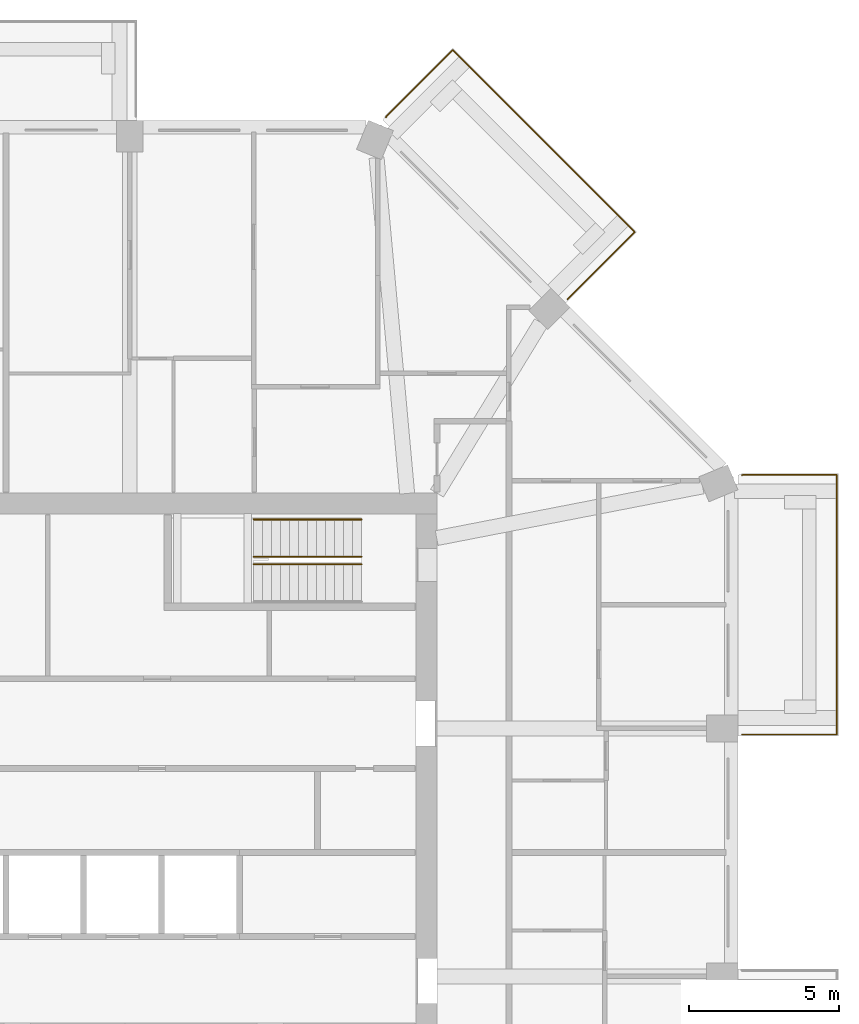
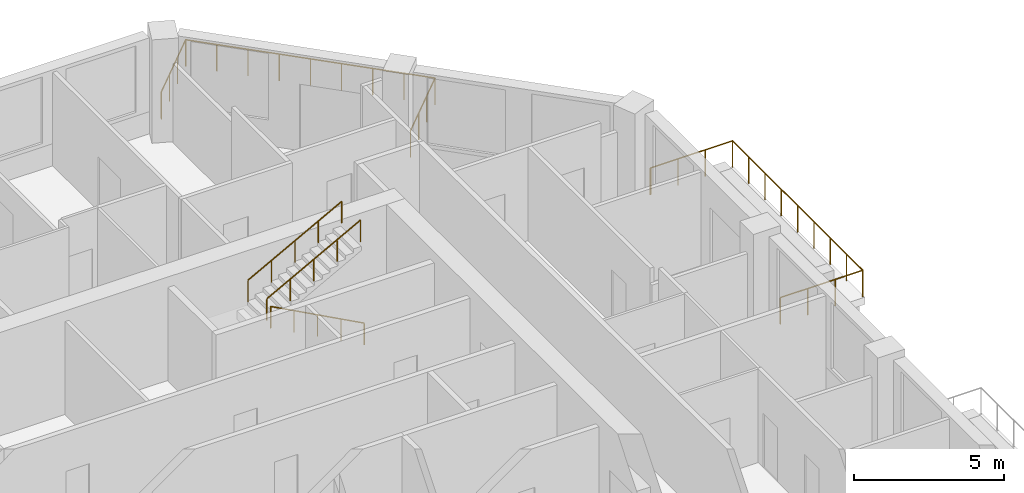
# One storey, part 12 of 12: 5 railings.
"""IFC4 building model written with IfcOpenShell, lengths in metres."""

from ifc_helpers import new_model, si_unit, direction, frame, origin, origin_2d, place, context, subcontext, project, spatial, circle, extrude, material, constituent, constituent_set, type_object, element, save


model = new_model("IFC4")

# Units and contexts
model_context = context("Model", 3, precision=1e-05, world=origin(), true_north=direction((0.0, 1.0)))
body_context = subcontext(model_context, "Body", "Model", "MODEL_VIEW")
ifc_project = project(units=[si_unit("LENGTHUNIT", "METRE"), si_unit("AREAUNIT", "SQUARE_METRE"), si_unit("VOLUMEUNIT", "CUBIC_METRE"), si_unit("PLANEANGLEUNIT", "RADIAN"), si_unit("MASSUNIT", "GRAM", prefix="KILO")], contexts=[model_context])

# Site, building, storey
site_placement = place(None, origin())
site = spatial("IfcSite", under=ifc_project, at=site_placement, CompositionType="ELEMENT")
building_placement = place(site_placement, origin())
building = spatial("IfcBuilding", under=site, at=building_placement, Name="Msitu Wima Residences", CompositionType="ELEMENT")
storey_placement = place(building_placement, frame((0.0, 0.0, 204.300048828125)))
storey = spatial("IfcBuildingStorey", under=building, at=storey_placement, Name="L47", CompositionType="ELEMENT", Elevation=204.300048828125)

# Railings
ifc_material_1 = material(Name="Steel S355", Category="steel")
ifc_constituent_1 = constituent(ifc_material_1, Name="Steel S355")
ifc_material_2 = material(Name="Weathering patina")
ifc_constituent_2 = constituent(ifc_material_2, Name="Weathering patina")
ifc_constituent_set_1 = constituent_set(constituents=[ifc_constituent_1, ifc_constituent_2], Name="Steel S355")
railing_type_1 = type_object("IfcRailingType", Name="Balcony guard GR1100", PredefinedType="GUARDRAIL", material=ifc_constituent_set_1)
railing_1_placement = place(storey_placement, frame((24.580078125, 12.597900390625, 0.0)))
element("IfcRailing", 1, at=railing_1_placement, inside=storey, type_object=railing_type_1, Name="Balcony guard E2 L47", PredefinedType="GUARDRAIL", context=body_context, shape_type="SweptSolid", body=[
    extrude(circle(Radius=0.02392578125, at=origin_2d()), frame((0.0, 0.0, 1.076171875), z_axis=(0.923276184907, 0.384136806859, 0.0), x_axis=(-0.384136806859, 0.923276184907, 0.0)), (0.0, 0.0, 1.0), 0.0361328125),
    extrude(circle(Radius=0.02392578125, at=origin_2d()), frame((0.033447265625, 0.013916015625, 1.076171875), z_axis=(1.0, 0.0, 0.0), x_axis=(0.0, 1.0, 0.0)), (0.0, 0.0, 1.0), 3.136474609375),
    extrude(circle(Radius=0.02392578125, at=origin_2d()), frame((3.169921875, 0.013916015625, 1.076171875), z_axis=(0.0, -1.0, 0.0), x_axis=(1.0, 0.0, 0.0)), (0.0, 0.0, 1.0), 8.674560546875),
    extrude(circle(Radius=0.02392578125, at=origin_2d()), frame((3.169921875, -8.66064453125, 1.076171875), z_axis=(-1.0, 0.0, 0.0), x_axis=(0.0, -1.0, 0.0)), (0.0, 0.0, 1.0), 3.169921875),
    extrude(circle(Radius=0.02099609375, at=origin_2d()), origin(), (0.0, 0.0, 1.0), 1.052001953125),
    extrude(circle(Radius=0.02099609375, at=origin_2d()), frame((0.033447265625, 0.013916015625, 0.0)), (0.0, 0.0, 1.0), 1.052001953125),
    extrude(circle(Radius=0.02099609375, at=origin_2d()), frame((1.078857421875, 0.013916015625, 0.0)), (0.0, 0.0, 1.0), 1.052001953125),
    extrude(circle(Radius=0.02099609375, at=origin_2d()), frame((2.12451171875, 0.013916015625, 0.0)), (0.0, 0.0, 1.0), 1.052001953125),
    extrude(circle(Radius=0.02099609375, at=origin_2d()), frame((3.169921875, 0.013916015625, 0.0)), (0.0, 0.0, 1.0), 1.052001953125),
    extrude(circle(Radius=0.02099609375, at=origin_2d()), frame((3.169921875, -1.0703125, 0.0)), (0.0, 0.0, 1.0), 1.052001953125),
    extrude(circle(Radius=0.02099609375, at=origin_2d()), frame((3.169921875, -2.15478515625, 0.0)), (0.0, 0.0, 1.0), 1.052001953125),
    extrude(circle(Radius=0.02099609375, at=origin_2d()), frame((3.169921875, -3.239013671875, 0.0)), (0.0, 0.0, 1.0), 1.052001953125),
    extrude(circle(Radius=0.02099609375, at=origin_2d()), frame((3.169921875, -4.3232421875, 0.0)), (0.0, 0.0, 1.0), 1.052001953125),
    extrude(circle(Radius=0.02099609375, at=origin_2d()), frame((3.169921875, -5.40771484375, 0.0)), (0.0, 0.0, 1.0), 1.052001953125),
    extrude(circle(Radius=0.02099609375, at=origin_2d()), frame((3.169921875, -6.491943359375, 0.0)), (0.0, 0.0, 1.0), 1.052001953125),
    extrude(circle(Radius=0.02099609375, at=origin_2d()), frame((3.169921875, -7.576416015625, 0.0)), (0.0, 0.0, 1.0), 1.052001953125),
    extrude(circle(Radius=0.02099609375, at=origin_2d()), frame((3.169921875, -8.66064453125, 0.0)), (0.0, 0.0, 1.0), 1.052001953125),
    extrude(circle(Radius=0.02099609375, at=origin_2d()), frame((2.11328125, -8.66064453125, 0.0)), (0.0, 0.0, 1.0), 1.052001953125),
    extrude(circle(Radius=0.02099609375, at=origin_2d()), frame((1.056640625, -8.66064453125, 0.0)), (0.0, 0.0, 1.0), 1.052001953125),
    extrude(circle(Radius=0.02099609375, at=origin_2d()), frame((0.0, -8.66064453125, 0.0)), (0.0, 0.0, 1.0), 1.052001953125),
])
railing_2_placement = place(storey_placement, frame((12.690185546875, 24.541748046875, 0.0)))
element("IfcRailing", 2, at=railing_2_placement, inside=storey, type_object=railing_type_1, Name="Balcony guard NE1 L47", PredefinedType="GUARDRAIL", context=body_context, shape_type="SweptSolid", body=[
    extrude(circle(Radius=0.02392578125, at=origin_2d()), frame((0.0, 0.0, 1.076171875), z_axis=(0.384136806859, 0.923276184907, 0.0), x_axis=(-0.923276184907, 0.384136806859, 0.0)), (0.0, 0.0, 1.0), 0.0361328125),
    extrude(circle(Radius=0.02392578125, at=origin_2d()), frame((0.013916015625, 0.033447265625, 1.076171875), z_axis=(0.707145698426, 0.707067861805, 0.0), x_axis=(-0.707067861805, 0.707145698426, 0.0)), (0.0, 0.0, 1.0), 3.136474609375),
    extrude(circle(Radius=0.02392578125, at=origin_2d()), frame((2.23193359375, 2.251220703125, 1.076171875), z_axis=(0.707106781187, -0.707106781187, 0.0), x_axis=(0.707106781187, 0.707106781187, 0.0)), (0.0, 0.0, 1.0), 8.593994140625),
    extrude(circle(Radius=0.02392578125, at=origin_2d()), frame((8.308837890625, -3.82568359375, 1.076171875), z_axis=(-0.707145287287, -0.707068272989, 0.0), x_axis=(0.707068272989, -0.707145287287, 0.0)), (0.0, 0.0, 1.0), 3.170166015625),
    extrude(circle(Radius=0.02099609375, at=origin_2d()), origin(), (0.0, 0.0, 1.0), 1.052001953125),
    extrude(circle(Radius=0.02099609375, at=origin_2d()), frame((0.013916015625, 0.033447265625, 0.0)), (0.0, 0.0, 1.0), 1.052001953125),
    extrude(circle(Radius=0.02099609375, at=origin_2d()), frame((0.753173828125, 0.772705078125, 0.0)), (0.0, 0.0, 1.0), 1.052001953125),
    extrude(circle(Radius=0.02099609375, at=origin_2d()), frame((1.49267578125, 1.511962890625, 0.0)), (0.0, 0.0, 1.0), 1.052001953125),
    extrude(circle(Radius=0.02099609375, at=origin_2d()), frame((2.23193359375, 2.251220703125, 0.0)), (0.0, 0.0, 1.0), 1.052001953125),
    extrude(circle(Radius=0.02099609375, at=origin_2d()), frame((2.991455078125, 1.49169921875, 0.0)), (0.0, 0.0, 1.0), 1.052001953125),
    extrude(circle(Radius=0.02099609375, at=origin_2d()), frame((3.751220703125, 0.73193359375, 0.0)), (0.0, 0.0, 1.0), 1.052001953125),
    extrude(circle(Radius=0.02099609375, at=origin_2d()), frame((4.5107421875, -0.027587890625, 0.0)), (0.0, 0.0, 1.0), 1.052001953125),
    extrude(circle(Radius=0.02099609375, at=origin_2d()), frame((5.2705078125, -0.787109375, 0.0)), (0.0, 0.0, 1.0), 1.052001953125),
    extrude(circle(Radius=0.02099609375, at=origin_2d()), frame((6.030029296875, -1.546875, 0.0)), (0.0, 0.0, 1.0), 1.052001953125),
    extrude(circle(Radius=0.02099609375, at=origin_2d()), frame((6.78955078125, -2.306396484375, 0.0)), (0.0, 0.0, 1.0), 1.052001953125),
    extrude(circle(Radius=0.02099609375, at=origin_2d()), frame((7.54931640625, -3.066162109375, 0.0)), (0.0, 0.0, 1.0), 1.052001953125),
    extrude(circle(Radius=0.02099609375, at=origin_2d()), frame((8.308837890625, -3.82568359375, 0.0)), (0.0, 0.0, 1.0), 1.052001953125),
    extrude(circle(Radius=0.02099609375, at=origin_2d()), frame((7.5615234375, -4.57275390625, 0.0)), (0.0, 0.0, 1.0), 1.052001953125),
    extrude(circle(Radius=0.02099609375, at=origin_2d()), frame((6.814453125, -5.320068359375, 0.0)), (0.0, 0.0, 1.0), 1.052001953125),
    extrude(circle(Radius=0.02099609375, at=origin_2d()), frame((6.067138671875, -6.067138671875, 0.0)), (0.0, 0.0, 1.0), 1.052001953125),
])
ifc_constituent_3 = constituent(ifc_material_1, Name="Steel S355")
ifc_material_3 = material(Name="Black powder coating")
ifc_constituent_4 = constituent(ifc_material_3, Name="Black powder coating")
ifc_constituent_set_2 = constituent_set(constituents=[ifc_constituent_3, ifc_constituent_4], Name="Steel S355")
railing_type_2 = type_object("IfcRailingType", Name="Stair handrail HR1", PredefinedType="HANDRAIL", material=ifc_constituent_set_2)
railing_3_placement = place(storey_placement, frame((11.875, 9.625, 0.161376953125)))
element("IfcRailing", 3, at=railing_3_placement, inside=storey, type_object=railing_type_2, Name="Stair 3 handrail", PredefinedType="HANDRAIL", context=body_context, shape_type="SweptSolid", body=[
    extrude(circle(Radius=0.02392578125, at=origin_2d()), frame((0.0, 0.0, 0.8759765625), z_axis=(-0.880474934443, 0.0, 0.474092701714), x_axis=(0.0, -1.0, 0.0)), (0.0, 0.0, 1.0), 4.0888671875),
    extrude(circle(Radius=0.02099609375, at=origin_2d()), origin(), (0.0, 0.0, 1.0), 0.851806640625),
    extrude(circle(Radius=0.02099609375, at=origin_2d()), frame((-0.89990234375, 0.0, 0.484619140625)), (0.0, 0.0, 1.0), 0.851806640625),
    extrude(circle(Radius=0.02099609375, at=origin_2d()), frame((-1.800048828125, 0.0, 0.96923828125)), (0.0, 0.0, 1.0), 0.851806640625),
    extrude(circle(Radius=0.02099609375, at=origin_2d()), frame((-2.7001953125, 0.0, 1.453857421875)), (0.0, 0.0, 1.0), 0.851806640625),
    extrude(circle(Radius=0.02099609375, at=origin_2d()), frame((-3.60009765625, 0.0, 1.9384765625)), (0.0, 0.0, 1.0), 0.851806640625),
])
for number, where, name in (
    (4, (8.27490234375, 9.875, 2.261474609375), "Stair 3 handrail"),
    (5, (8.27490234375, 11.125, 2.261474609375), "Stair 3 handrail"),
):
    element("IfcRailing", number, at=place(storey_placement, frame(where)), inside=storey, type_object=railing_type_2, Name=name, PredefinedType="HANDRAIL", context=body_context, shape_type="SweptSolid", body=[
        extrude(circle(Radius=0.02392578125, at=origin_2d()), frame((0.0, 0.0, 0.8759765625), z_axis=(0.880474934443, 0.0, 0.474092701714), x_axis=(0.0, 1.0, 0.0)), (0.0, 0.0, 1.0), 4.0888671875),
        extrude(circle(Radius=0.02099609375, at=origin_2d()), origin(), (0.0, 0.0, 1.0), 0.851806640625),
        extrude(circle(Radius=0.02099609375, at=origin_2d()), frame((0.89990234375, 0.0, 0.484619140625)), (0.0, 0.0, 1.0), 0.851806640625),
        extrude(circle(Radius=0.02099609375, at=origin_2d()), frame((1.800048828125, 0.0, 0.96923828125)), (0.0, 0.0, 1.0), 0.851806640625),
        extrude(circle(Radius=0.02099609375, at=origin_2d()), frame((2.7001953125, 0.0, 1.453857421875)), (0.0, 0.0, 1.0), 0.851806640625),
        extrude(circle(Radius=0.02099609375, at=origin_2d()), frame((3.60009765625, 0.0, 1.9384765625)), (0.0, 0.0, 1.0), 0.851806640625),
    ])

save(model, "model.ifc")
